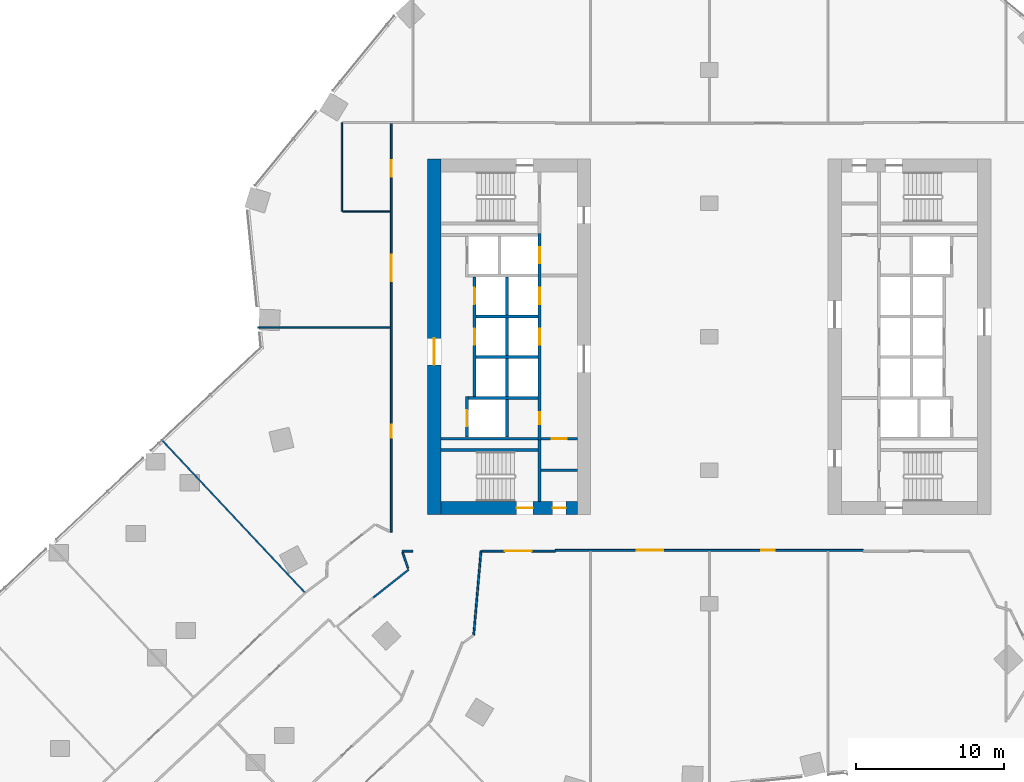
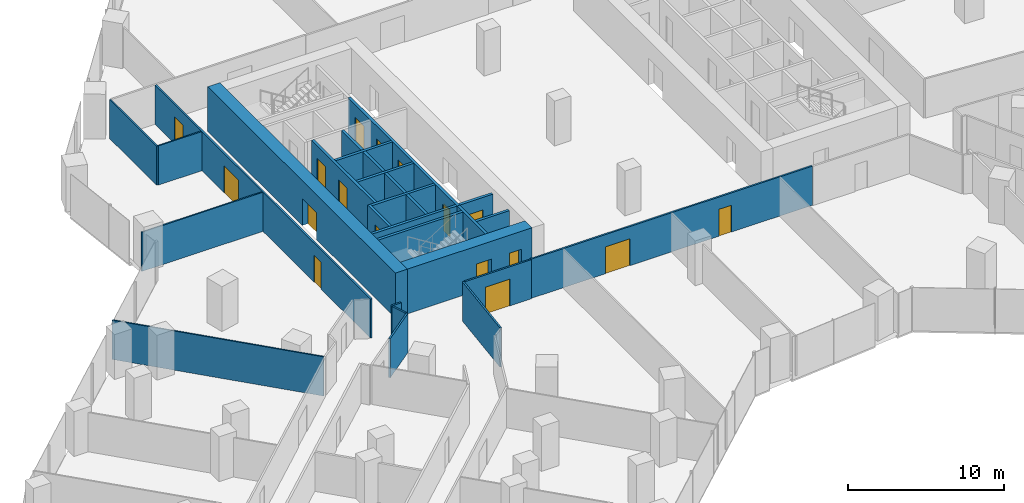
# One storey, part 28 of 34: 28 walls, 17 doors, 17 openings.
"""IFC4 building model written with IfcOpenShell, lengths in metres."""

import ifcopenshell
import ifcopenshell.guid

model = None  # the IFC model being written
_history = None  # IfcOwnerHistory: only IFC2X3 demands one
_inside = {}  # id of a spatial element -> (the spatial element, [elements in it])
_under = {}  # id of a project, library or spatial element -> (it, [spatial elements below it])
_declared = {}  # id of a project -> (the project, [libraries it declares])
_typed = {}  # id of a type object -> (the type object, [elements of that type])
_made_of = {}  # id of a material, layer set ... -> (it, [elements and type objects made of it])


def new_model(schema):
    """Start an empty IFC model of exactly this schema.

    Asked for "IFC4X3", IfcOpenShell would pick the latest addendum, in which some entities
    have other attributes; the version numbers below select the first issue.
    IFC2X3 requires an IfcOwnerHistory on every rooted entity: one is made here for all.
    """
    global model, _history
    if schema == "IFC4X3":
        model = ifcopenshell.file(schema_version=(4, 3, 0, 0))
    else:
        model = ifcopenshell.file(schema=schema)
    _inside.clear()
    _under.clear()
    _declared.clear()
    _typed.clear()
    _made_of.clear()
    _history = None
    if model.schema == "IFC2X3":
        org = make("IfcOrganization", Name="unknown")
        user = make(
            "IfcPersonAndOrganization",
            ThePerson=make("IfcPerson", FamilyName="unknown"),
            TheOrganization=org,
        )
        app = make(
            "IfcApplication",
            ApplicationDeveloper=org,
            Version="unknown",
            ApplicationFullName="unknown",
            ApplicationIdentifier="unknown",
        )
        _history = make(
            "IfcOwnerHistory",
            OwningUser=user,
            OwningApplication=app,
            ChangeAction="ADDED",
            CreationDate=0,
        )
    return model


def make(cls, **values):
    """One entity of the class cls with the attributes given. An attribute that is None is left unset."""
    return model.create_entity(
        cls, **{name: value for name, value in values.items() if value is not None}
    )


def rooted(cls, **values):
    """An entity with a GlobalId (a new one), such as an element, a storey or a relation."""
    return make(cls, GlobalId=ifcopenshell.guid.new(), OwnerHistory=_history, **values)


def si_unit(unit_type, name, prefix=None):
    """IfcSIUnit, for example si_unit("LENGTHUNIT", "METRE", prefix="MILLI")."""
    return make("IfcSIUnit", UnitType=unit_type, Prefix=prefix, Name=name)


def assignment(units):
    """IfcUnitAssignment: the units of a project."""
    return None if units is None else make("IfcUnitAssignment", Units=units)


def point(xyz):
    """IfcCartesianPoint."""
    return None if xyz is None else make("IfcCartesianPoint", Coordinates=xyz)


def direction(xyz):
    """IfcDirection."""
    return None if xyz is None else make("IfcDirection", DirectionRatios=xyz)


def frame(location, z_axis=None, x_axis=None):
    """IfcAxis2Placement3D, a coordinate frame: its origin and axes. An axis left out is left unset."""
    return make(
        "IfcAxis2Placement3D",
        Location=point(location),
        Axis=direction(z_axis),
        RefDirection=direction(x_axis),
    )


def frame_2d(location, x_axis=None):
    """IfcAxis2Placement2D, a coordinate frame in the plane: its origin and x axis."""
    return make(
        "IfcAxis2Placement2D", Location=point(location), RefDirection=direction(x_axis)
    )


def origin():
    """The frame at (0, 0, 0) with its axes left unset."""
    return frame((0.0, 0.0, 0.0))


def place(relative_to, where):
    """IfcLocalPlacement: puts the frame where relative to a parent placement (None: the world)."""
    return make(
        "IfcLocalPlacement", PlacementRelTo=relative_to, RelativePlacement=where
    )


def context(
    kind, dimensions, precision=None, world=None, true_north=None, identifier=None
):
    """IfcGeometricRepresentationContext, for example the 3D "Model" context."""
    return make(
        "IfcGeometricRepresentationContext",
        ContextIdentifier=identifier,
        ContextType=kind,
        CoordinateSpaceDimension=dimensions,
        Precision=precision,
        WorldCoordinateSystem=world,
        TrueNorth=true_north,
    )


def subcontext(parent, identifier, kind, view, scale=None):
    """IfcGeometricRepresentationSubContext, for example "Body" below "Model"."""
    return make(
        "IfcGeometricRepresentationSubContext",
        ContextIdentifier=identifier,
        ContextType=kind,
        ParentContext=parent,
        TargetScale=scale,
        TargetView=view,
    )


def project(units=None, contexts=None):
    """IfcProject with its units and contexts."""
    return rooted(
        "IfcProject",
        Name="project",
        RepresentationContexts=contexts,
        UnitsInContext=assignment(units),
    )


def spatial(cls, under=None, at=None, **own):
    """A site, building, storey or space (cls), placed at a placement, below another one or the project."""
    s = rooted(cls, ObjectPlacement=at, **own)
    if under is not None:
        _under.setdefault(under.id(), (under, []))[1].append(s)
    return s


def profile(cls, at=None, kind="AREA", **sizes):
    """A parametric profile (cls). Its sizes go by their IFC names, for example OverallWidth=200.0."""
    return make(cls, ProfileType=kind, Position=at, **sizes)


def rectangle(**sizes):
    """IfcRectangleProfileDef."""
    return profile("IfcRectangleProfileDef", **sizes)


def extrude(swept, where, along, depth):
    """IfcExtrudedAreaSolid: the profile swept, set in the frame where, extruded along a direction by depth."""
    return make(
        "IfcExtrudedAreaSolid",
        SweptArea=swept,
        Position=where,
        ExtrudedDirection=direction(along),
        Depth=depth,
    )


def shape(context_of_items, identifier, shape_type, items):
    """IfcShapeRepresentation: the items that make up one representation, for example the "Body"."""
    return make(
        "IfcShapeRepresentation",
        ContextOfItems=context_of_items,
        RepresentationIdentifier=identifier,
        RepresentationType=shape_type,
        Items=items,
    )


def material(Name=None, Category=None):
    """IfcMaterial."""
    return make("IfcMaterial", Name=Name, Category=Category)


def layer(
    of_material, thickness, ventilated=None, Name=None, Category=None, Priority=None
):
    """IfcMaterialLayer: one layer of a wall or slab, of a material (None: an air gap)."""
    return make(
        "IfcMaterialLayer",
        Material=of_material,
        LayerThickness=thickness,
        IsVentilated=ventilated,
        Name=Name,
        Category=Category,
        Priority=Priority,
    )


def layer_set(layers, Name=None):
    """IfcMaterialLayerSet."""
    return make("IfcMaterialLayerSet", MaterialLayers=layers, LayerSetName=Name)


def made_of(thing, what):
    """Note that an element or type object is made of a material, layer set ...; save() writes the relation."""
    if what is not None:
        _made_of.setdefault(what.id(), (what, []))[1].append(thing)
    return thing


def type_object(cls, material=None, **own):
    """A type object (cls), such as IfcWallType, which elements share."""
    return made_of(rooted(cls, **own), material)


def element(
    cls,
    number,
    at=None,
    inside=None,
    cuts=None,
    type_object=None,
    material=None,
    context=None,
    identifier="Body",
    shape_type=None,
    held_by="IfcProductDefinitionShape",
    body=None,
    shapes=None,
    **own,
):
    """One element of the class cls, such as IfcWall. Its Tag is "e" and its number.

    at: its placement. inside: the storey or other place that contains it. cuts: it is an
    opening in that element (IfcRelVoidsElement). A single representation is given by context,
    identifier, shape_type and body (its items); several are given by shapes. held_by: the class
    of the entity that holds the representations. save() writes the other relations.
    """
    e = rooted(cls, Tag="e%d" % number, ObjectPlacement=at, **own)
    if body is not None:
        shapes = [shape(context, identifier, shape_type, body)]
    if shapes is not None:
        e.Representation = make(held_by, Representations=shapes)
    if inside is not None:
        _inside.setdefault(inside.id(), (inside, []))[1].append(e)
    if cuts is not None:
        rooted(
            "IfcRelVoidsElement", RelatingBuildingElement=cuts, RelatedOpeningElement=e
        )
    if type_object is not None:
        _typed.setdefault(type_object.id(), (type_object, []))[1].append(e)
    return made_of(e, material)


def fill(opening, filler):
    """IfcRelFillsElement: the door or window that sits in an opening."""
    return rooted(
        "IfcRelFillsElement",
        RelatingOpeningElement=opening,
        RelatedBuildingElement=filler,
    )


def aggregate(whole, parts):
    """IfcRelAggregates: a whole, such as a stair, and the parts it consists of."""
    return rooted("IfcRelAggregates", RelatingObject=whole, RelatedObjects=parts)


def save(model, path):
    """Write the relations noted so far, then the file.

    IfcRelAggregates (storeys below a building ...), IfcRelContainedInSpatialStructure (elements
    in a storey), IfcRelDefinesByType, IfcRelAssociatesMaterial and IfcRelDeclares: one each for
    every whole, place, type object, material and project.
    """
    for whole, parts in _under.values():
        aggregate(whole, parts)
    for where, things in _inside.values():
        rooted(
            "IfcRelContainedInSpatialStructure",
            RelatedElements=things,
            RelatingStructure=where,
        )
    for kind, things in _typed.values():
        rooted("IfcRelDefinesByType", RelatedObjects=things, RelatingType=kind)
    for what, things in _made_of.values():
        rooted("IfcRelAssociatesMaterial", RelatedObjects=things, RelatingMaterial=what)
    for by, libraries in _declared.values():
        rooted("IfcRelDeclares", RelatingContext=by, RelatedDefinitions=libraries)
    model.write(path)


model = new_model("IFC4")

# Units and contexts
model_context = context("Model", 3, precision=1e-05, world=origin(), true_north=direction((0.0, 1.0)))
body_context = subcontext(model_context, "Body", "Model", "MODEL_VIEW")
ifc_project = project(units=[si_unit("LENGTHUNIT", "METRE"), si_unit("AREAUNIT", "SQUARE_METRE"), si_unit("VOLUMEUNIT", "CUBIC_METRE"), si_unit("PLANEANGLEUNIT", "RADIAN"), si_unit("MASSUNIT", "GRAM", prefix="KILO")], contexts=[model_context])

# Site, building, storey
site_placement = place(None, origin())
site = spatial("IfcSite", under=ifc_project, at=site_placement, CompositionType="ELEMENT")
building_placement = place(site_placement, origin())
building = spatial("IfcBuilding", under=site, at=building_placement, Name="Orlundy Tower", CompositionType="ELEMENT")
storey_placement = place(building_placement, frame((0.0, 0.0, 47.800048828125)))
storey = spatial("IfcBuildingStorey", under=building, at=storey_placement, Name="L10", CompositionType="ELEMENT", Elevation=47.800048828125)

# Wall, openings, doors
ifc_material_1 = material(Name="Concrete C80/95", Category="concrete")
ifc_layer_1 = layer(ifc_material_1, 0.89990234375)
ifc_layer_set_1 = layer_set([ifc_layer_1], Name="CORE WALL 900 C80/95")
wall_type_1 = type_object("IfcWallType", Name="CORE WALL 900 C80/95", PredefinedType="SHEAR", material=ifc_layer_set_1)
wall_1_placement = place(storey_placement, frame((-18.10009765625, -11.550048828125, 0.0), z_axis=(0.0, 0.0, 1.0), x_axis=(1.0, 0.0, 0.0)))
wall_1 = element("IfcWall", 1, at=wall_1_placement, inside=storey, type_object=wall_type_1, Name="Core wall W-S L10", PredefinedType="SHEAR", context=body_context, shape_type="SweptSolid", body=[
    extrude(rectangle(XDim=9.2001953125, YDim=0.89990234375, at=frame_2d((4.60009765625, 0.0))), origin(), (0.0, 0.0, 1.0), 3.5),
])
opening_1_placement = place(wall_1_placement, frame((5.10009765625, 0.0, 0.0)))
opening_1 = element("IfcOpeningElement", 2, at=opening_1_placement, cuts=wall_1, Name="Opening 09013", PredefinedType="OPENING", context=body_context, shape_type="SweptSolid", body=[
    extrude(rectangle(XDim=1.10009765625, YDim=2.10009765625, at=frame_2d((0.550048828125, 1.050048828125))), frame((0.0, 0.4599609375, 0.0), z_axis=(0.0, -1.0, 0.0), x_axis=(1.0, 0.0, 0.0)), (0.0, 0.0, 1.0), 0.919921875),
])
opening_2_placement = place(wall_1_placement, frame((7.530029296875, 0.0, 0.0)))
opening_2 = element("IfcOpeningElement", 3, at=opening_2_placement, cuts=wall_1, Name="Opening 09015", PredefinedType="OPENING", context=body_context, shape_type="SweptSolid", body=[
    extrude(rectangle(XDim=0.89990234375, YDim=2.10009765625, at=frame_2d((0.449951171875, 1.050048828125))), frame((0.0, 0.4599609375, 0.0), z_axis=(0.0, -1.0, 0.0), x_axis=(1.0, 0.0, 0.0)), (0.0, 0.0, 1.0), 0.919921875),
])
ifc_material_2 = material(Name="Timber door set", Category="wood")
door_type_1 = type_object("IfcDoorType", Name="Room Door 900x2100", OperationType="SINGLE_SWING_LEFT", PredefinedType="DOOR", material=ifc_material_2)
door_1_placement = place(opening_2_placement, origin())
door_1 = element("IfcDoor", 4, at=door_1_placement, inside=storey, type_object=door_type_1, Name="Store door 09015", OperationType="SINGLE_SWING_RIGHT", OverallHeight=2.10009765625, OverallWidth=0.89990234375, PredefinedType="DOOR", context=body_context, shape_type="SweptSolid", body=[
    extrude(rectangle(XDim=0.89990234375, YDim=2.10009765625, at=frame_2d((0.449951171875, 1.050048828125))), frame((0.0, 0.02490234375, 0.0), z_axis=(0.0, -1.0, 0.0), x_axis=(1.0, 0.0, 0.0)), (0.0, 0.0, 1.0), 0.050048828125),
])
fill(opening_2, door_1)
ifc_material_3 = material(Name="Steel door set", Category="steel")
door_type_2 = type_object("IfcDoorType", Name="Stair Door 1100x2100", OperationType="SINGLE_SWING_LEFT", PredefinedType="DOOR", material=ifc_material_3)
door_2_placement = place(opening_1_placement, origin())
door_2 = element("IfcDoor", 5, at=door_2_placement, inside=storey, type_object=door_type_2, Name="Stair door 09013", OperationType="SINGLE_SWING_RIGHT", OverallHeight=2.10009765625, OverallWidth=1.10009765625, PredefinedType="DOOR", context=body_context, shape_type="SweptSolid", body=[
    extrude(rectangle(XDim=1.10009765625, YDim=2.10009765625, at=frame_2d((0.550048828125, 1.050048828125))), frame((0.0, 0.02490234375, 0.0), z_axis=(0.0, -1.0, 0.0), x_axis=(1.0, 0.0, 0.0)), (0.0, 0.0, 1.0), 0.050048828125),
])
fill(opening_1, door_2)

# Wall, opening, door
wall_2_placement = place(storey_placement, frame((-18.550048828125, -12.0, 0.0), z_axis=(0.0, 0.0, 1.0), x_axis=(0.0, 1.0, 0.0)))
wall_2 = element("IfcWall", 6, at=wall_2_placement, inside=storey, type_object=wall_type_1, Name="Core wall W-W L10", PredefinedType="SHEAR", context=body_context, shape_type="SweptSolid", body=[
    extrude(rectangle(XDim=24.0, YDim=0.89990234375, at=frame_2d((12.0, 0.0))), origin(), (0.0, 0.0, 1.0), 3.5),
])
opening_3_placement = place(wall_2_placement, frame((10.10009765625, 0.0, 0.0)))
opening_3 = element("IfcOpeningElement", 7, at=opening_3_placement, cuts=wall_2, Name="Opening 09010", PredefinedType="OPENING", context=body_context, shape_type="SweptSolid", body=[
    extrude(rectangle(XDim=1.800048828125, YDim=2.10009765625, at=frame_2d((0.89990234375, 1.050048828125))), frame((0.0, 0.4599609375, 0.0), z_axis=(0.0, -1.0, 0.0), x_axis=(1.0, 0.0, 0.0)), (0.0, 0.0, 1.0), 0.919921875),
])
ifc_material_4 = material(Name="Timber door set", Category="wood")
door_type_3 = type_object("IfcDoorType", Name="Lobby Door 1800x2100", OperationType="DOUBLE_DOOR_DOUBLE_SWING", PredefinedType="DOOR", material=ifc_material_4)
door_3_placement = place(opening_3_placement, origin())
door_3 = element("IfcDoor", 8, at=door_3_placement, inside=storey, type_object=door_type_3, Name="Lift lobby door 09010", OperationType="SINGLE_SWING_LEFT", OverallHeight=2.10009765625, OverallWidth=1.800048828125, PredefinedType="DOOR", context=body_context, shape_type="SweptSolid", body=[
    extrude(rectangle(XDim=1.800048828125, YDim=2.10009765625, at=frame_2d((0.89990234375, 1.050048828125))), frame((0.0, 0.02490234375, 0.0), z_axis=(0.0, -1.0, 0.0), x_axis=(1.0, 0.0, 0.0)), (0.0, 0.0, 1.0), 0.050048828125),
])
fill(opening_3, door_3)

# Walls
ifc_material_5 = material(Name="Gypsum board partition")
ifc_layer_2 = layer(ifc_material_5, 0.10009765625)
ifc_layer_set_2 = layer_set([ifc_layer_2], Name="Floor partition 100")
wall_type_2 = type_object("IfcWallType", Name="Floor partition 100", PredefinedType="PARTITIONING", material=ifc_layer_set_2)
wall_3_placement = place(storey_placement, frame((-36.969970703125, -6.912109375, 0.0), z_axis=(0.0, 0.0, 1.0), x_axis=(0.684148478852, -0.729342758163, 0.0)))
element("IfcWall", 9, at=wall_3_placement, inside=storey, type_object=wall_type_2, Name="wall-int-L10-016", PredefinedType="PARTITIONING", context=body_context, shape_type="SweptSolid", body=[
    extrude(rectangle(XDim=14.13720703125, YDim=0.10009765625, at=frame_2d((7.068603515625, 0.0))), origin(), (0.0, 0.0, 1.0), 3.06005859375),
])
wall_4_placement = place(storey_placement, frame((-30.4619140625, 0.635986328125, 0.0), z_axis=(0.0, 0.0, 1.0), x_axis=(1.0, 0.0, 0.0)))
element("IfcWall", 10, at=wall_4_placement, inside=storey, type_object=wall_type_2, Name="wall-int-L10-038", PredefinedType="PARTITIONING", context=body_context, shape_type="SweptSolid", body=[
    extrude(rectangle(XDim=8.949951171875, YDim=0.10009765625, at=frame_2d((4.47509765625, 0.0))), origin(), (0.0, 0.0, 1.0), 3.06005859375),
])
wall_5_placement = place(storey_placement, frame((-24.73193359375, 8.448974609375, 0.0), z_axis=(0.0, 0.0, 1.0), x_axis=(1.0, 0.0, 0.0)))
element("IfcWall", 11, at=wall_5_placement, inside=storey, type_object=wall_type_2, Name="wall-int-L10-040", PredefinedType="PARTITIONING", context=body_context, shape_type="SweptSolid", body=[
    extrude(rectangle(XDim=3.219970703125, YDim=0.10009765625, at=frame_2d((1.60986328125, 0.0))), origin(), (0.0, 0.0, 1.0), 3.06005859375),
])
wall_6_placement = place(storey_placement, frame((-24.781982421875, 8.448974609375, 0.0), z_axis=(0.0, 0.0, 1.0), x_axis=(0.0, 1.0, 0.0)))
element("IfcWall", 12, at=wall_6_placement, inside=storey, type_object=wall_type_2, Name="wall-int-L10-086", PredefinedType="PARTITIONING", context=body_context, shape_type="SweptSolid", body=[
    extrude(rectangle(XDim=6.0, YDim=0.10009765625, at=frame_2d((3.0, 0.0))), origin(), (0.0, 0.0, 1.0), 3.06005859375),
])
ifc_material_6 = material(Name="Gypsum board partition, double layer")
ifc_layer_3 = layer(ifc_material_6, 0.125)
ifc_layer_set_3 = layer_set([ifc_layer_3], Name="Floor partition 125")
wall_type_3 = type_object("IfcWallType", Name="Floor partition 125", PredefinedType="PARTITIONING", material=ifc_layer_set_3)
wall_7_placement = place(storey_placement, frame((-20.68408203125, -14.54296875, 0.0), z_axis=(0.0, 0.0, 1.0), x_axis=(0.32765097617, -0.944798834575, 0.0)))
element("IfcWall", 13, at=wall_7_placement, inside=storey, type_object=wall_type_3, Name="wall-int-L10-001", PredefinedType="PARTITIONING", context=body_context, shape_type="SweptSolid", body=[
    extrude(rectangle(XDim=1.132568359375, YDim=0.125, at=frame_2d((0.56640625, 0.0))), origin(), (0.0, 0.0, 1.0), 3.06005859375),
])
wall_8_placement = place(storey_placement, frame((-20.715087890625, -14.450927734375, 0.0), z_axis=(0.0, 0.0, 1.0), x_axis=(1.0, 0.0, 0.0)))
element("IfcWall", 14, at=wall_8_placement, inside=storey, type_object=wall_type_3, Name="wall-int-L10-033", PredefinedType="PARTITIONING", context=body_context, shape_type="SweptSolid", body=[
    extrude(rectangle(XDim=0.715087890625, YDim=0.125, at=frame_2d((0.357421875, 0.0))), origin(), (0.0, 0.0, 1.0), 3.06005859375),
])

# Wall, opening, door
wall_9_placement = place(storey_placement, frame((-10.39111328125, -14.450927734375, 0.0), z_axis=(0.0, 0.0, 1.0), x_axis=(-1.0, 0.0, 0.0)))
wall_9 = element("IfcWall", 15, at=wall_9_placement, inside=storey, type_object=wall_type_3, Name="wall-int-L10-034", PredefinedType="PARTITIONING", context=body_context, shape_type="SweptSolid", body=[
    extrude(rectangle(XDim=4.94677734375, YDim=0.125, at=frame_2d((2.473388671875, 0.0))), origin(), (0.0, 0.0, 1.0), 3.06005859375),
])
opening_4_placement = place(wall_9_placement, frame((1.60009765625, 0.0, 0.0)))
opening_4 = element("IfcOpeningElement", 16, at=opening_4_placement, cuts=wall_9, Name="Opening 09124", PredefinedType="OPENING", context=body_context, shape_type="SweptSolid", body=[
    extrude(rectangle(XDim=1.800048828125, YDim=2.10009765625, at=frame_2d((0.89990234375, 1.050048828125))), frame((0.0, 0.072509765625, 0.0), z_axis=(0.0, -1.0, 0.0), x_axis=(1.0, 0.0, 0.0)), (0.0, 0.0, 1.0), 0.14501953125),
])
ifc_material_7 = material(Name="Timber door leaf", Category="wood")
door_type_4 = type_object("IfcDoorType", Name="Floor door double 1800 FD30S", OperationType="NOTDEFINED", PredefinedType="DOOR", material=ifc_material_7)
door_4_placement = place(opening_4_placement, origin())
door_4 = element("IfcDoor", 17, at=door_4_placement, inside=storey, type_object=door_type_4, Name="Door 09124", OperationType="DOUBLE_DOOR_SINGLE_SWING", OverallHeight=2.10009765625, OverallWidth=1.800048828125, PredefinedType="DOOR", context=body_context, shape_type="SweptSolid", body=[
    extrude(rectangle(XDim=1.800048828125, YDim=2.10009765625, at=frame_2d((0.89990234375, 1.050048828125))), frame((0.0, 0.02490234375, 0.0), z_axis=(0.0, -1.0, 0.0), x_axis=(1.0, 0.0, 0.0)), (0.0, 0.0, 1.0), 0.050048828125),
])
fill(opening_4, door_4)

# Wall, openings, doors
wall_10_placement = place(storey_placement, frame((10.39111328125, -14.40087890625, 0.0), z_axis=(0.0, 0.0, 1.0), x_axis=(-1.0, 0.0, 0.0)))
wall_10 = element("IfcWall", 18, at=wall_10_placement, inside=storey, type_object=wall_type_3, Name="wall-int-L10-037", PredefinedType="PARTITIONING", context=body_context, shape_type="SweptSolid", body=[
    extrude(rectangle(XDim=20.781005859375, YDim=0.125, at=frame_2d((10.390625, 0.0))), origin(), (0.0, 0.0, 1.0), 3.06005859375),
])
opening_5_placement = place(wall_10_placement, frame((13.490966796875, 0.0, 0.0)))
opening_5 = element("IfcOpeningElement", 19, at=opening_5_placement, cuts=wall_10, Name="Opening 09125", PredefinedType="OPENING", context=body_context, shape_type="SweptSolid", body=[
    extrude(rectangle(XDim=1.800048828125, YDim=2.10009765625, at=frame_2d((0.89990234375, 1.050048828125))), frame((0.0, 0.072509765625, 0.0), z_axis=(0.0, -1.0, 0.0), x_axis=(1.0, 0.0, 0.0)), (0.0, 0.0, 1.0), 0.14501953125),
])
opening_6_placement = place(wall_10_placement, frame((5.990966796875, 0.0, 0.0)))
opening_6 = element("IfcOpeningElement", 20, at=opening_6_placement, cuts=wall_10, Name="Opening 09126", PredefinedType="OPENING", context=body_context, shape_type="SweptSolid", body=[
    extrude(rectangle(XDim=0.89990234375, YDim=2.10009765625, at=frame_2d((0.449951171875, 1.050048828125))), frame((0.0, 0.072509765625, 0.0), z_axis=(0.0, -1.0, 0.0), x_axis=(1.0, 0.0, 0.0)), (0.0, 0.0, 1.0), 0.14501953125),
])
door_5_placement = place(opening_5_placement, origin())
door_5 = element("IfcDoor", 21, at=door_5_placement, inside=storey, type_object=door_type_4, Name="Door 09125", OperationType="DOUBLE_DOOR_SINGLE_SWING", OverallHeight=2.10009765625, OverallWidth=1.800048828125, PredefinedType="DOOR", context=body_context, shape_type="SweptSolid", body=[
    extrude(rectangle(XDim=1.800048828125, YDim=2.10009765625, at=frame_2d((0.89990234375, 1.050048828125))), frame((0.0, 0.02490234375, 0.0), z_axis=(0.0, -1.0, 0.0), x_axis=(1.0, 0.0, 0.0)), (0.0, 0.0, 1.0), 0.050048828125),
])
fill(opening_5, door_5)
ifc_material_8 = material(Name="Timber door leaf", Category="wood")
door_type_5 = type_object("IfcDoorType", Name="Floor door single 900 FD30S", OperationType="NOTDEFINED", PredefinedType="DOOR", material=ifc_material_8)
door_6_placement = place(opening_6_placement, origin())
door_6 = element("IfcDoor", 22, at=door_6_placement, inside=storey, type_object=door_type_5, Name="Door 09126", OperationType="SINGLE_SWING_LEFT", OverallHeight=2.10009765625, OverallWidth=0.89990234375, PredefinedType="DOOR", context=body_context, shape_type="SweptSolid", body=[
    extrude(rectangle(XDim=0.89990234375, YDim=2.10009765625, at=frame_2d((0.449951171875, 1.050048828125))), frame((0.0, 0.02490234375, 0.0), z_axis=(0.0, -1.0, 0.0), x_axis=(1.0, 0.0, 0.0)), (0.0, 0.0, 1.0), 0.050048828125),
])
fill(opening_6, door_6)

# Walls
wall_11_placement = place(storey_placement, frame((-22.653076171875, -17.580078125, 0.0), z_axis=(0.0, 0.0, 1.0), x_axis=(0.784758802797, 0.619801275759, 0.0)))
element("IfcWall", 23, at=wall_11_placement, inside=storey, type_object=wall_type_3, Name="wall-int-L10-047", PredefinedType="PARTITIONING", context=body_context, shape_type="SweptSolid", body=[
    extrude(rectangle(XDim=3.025146484375, YDim=0.125, at=frame_2d((1.5126953125, 0.0))), origin(), (0.0, 0.0, 1.0), 3.06005859375),
])
wall_12_placement = place(storey_placement, frame((-15.89111328125, -20.113037109375, 0.0), z_axis=(0.0, 0.0, 1.0), x_axis=(0.086555508175, 0.996247029609, 0.0)))
element("IfcWall", 24, at=wall_12_placement, inside=storey, type_object=wall_type_3, Name="wall-int-L10-073", PredefinedType="PARTITIONING", context=body_context, shape_type="SweptSolid", body=[
    extrude(rectangle(XDim=5.686279296875, YDim=0.125, at=frame_2d((2.84326171875, 0.0))), origin(), (0.0, 0.0, 1.0), 3.06005859375),
])

# Wall, openings, doors
wall_13_placement = place(storey_placement, frame((-21.449951171875, -13.175048828125, 0.0), z_axis=(0.0, 0.0, 1.0), x_axis=(0.0, 1.0, 0.0)))
wall_13 = element("IfcWall", 25, at=wall_13_placement, inside=storey, type_object=wall_type_3, Name="wall-int-L10-085", PredefinedType="PARTITIONING", context=body_context, shape_type="SweptSolid", body=[
    extrude(rectangle(XDim=27.56103515625, YDim=0.125, at=frame_2d((13.780517578125, 0.0))), origin(), (0.0, 0.0, 1.0), 3.06005859375),
])
opening_7_placement = place(wall_13_placement, frame((6.35009765625, 0.0, 0.0)))
opening_7 = element("IfcOpeningElement", 26, at=opening_7_placement, cuts=wall_13, Name="Opening 09122", PredefinedType="OPENING", context=body_context, shape_type="SweptSolid", body=[
    extrude(rectangle(XDim=0.89990234375, YDim=2.10009765625, at=frame_2d((0.449951171875, 1.050048828125))), frame((0.0, 0.072509765625, 0.0), z_axis=(0.0, -1.0, 0.0), x_axis=(1.0, 0.0, 0.0)), (0.0, 0.0, 1.0), 0.14501953125),
])
opening_8_placement = place(wall_13_placement, frame((16.910888671875, 0.0, 0.0)))
opening_8 = element("IfcOpeningElement", 27, at=opening_8_placement, cuts=wall_13, Name="Opening 09135", PredefinedType="OPENING", context=body_context, shape_type="SweptSolid", body=[
    extrude(rectangle(XDim=1.800048828125, YDim=2.10009765625, at=frame_2d((0.89990234375, 1.050048828125))), frame((0.0, 0.072509765625, 0.0), z_axis=(0.0, -1.0, 0.0), x_axis=(1.0, 0.0, 0.0)), (0.0, 0.0, 1.0), 0.14501953125),
])
opening_9_placement = place(wall_13_placement, frame((23.97412109375, 0.0, 0.0)))
opening_9 = element("IfcOpeningElement", 28, at=opening_9_placement, cuts=wall_13, Name="Opening 09136", PredefinedType="OPENING", context=body_context, shape_type="SweptSolid", body=[
    extrude(rectangle(XDim=1.10009765625, YDim=2.10009765625, at=frame_2d((0.550048828125, 1.050048828125))), frame((0.0, 0.072509765625, 0.0), z_axis=(0.0, -1.0, 0.0), x_axis=(1.0, 0.0, 0.0)), (0.0, 0.0, 1.0), 0.14501953125),
])
door_7_placement = place(opening_8_placement, origin())
door_7 = element("IfcDoor", 29, at=door_7_placement, inside=storey, type_object=door_type_4, Name="Door 09135", OperationType="DOUBLE_DOOR_SINGLE_SWING", OverallHeight=2.10009765625, OverallWidth=1.800048828125, PredefinedType="DOOR", context=body_context, shape_type="SweptSolid", body=[
    extrude(rectangle(XDim=1.800048828125, YDim=2.10009765625, at=frame_2d((0.89990234375, 1.050048828125))), frame((0.0, 0.02490234375, 0.0), z_axis=(0.0, -1.0, 0.0), x_axis=(1.0, 0.0, 0.0)), (0.0, 0.0, 1.0), 0.050048828125),
])
fill(opening_8, door_7)
door_8_placement = place(opening_7_placement, origin())
door_8 = element("IfcDoor", 30, at=door_8_placement, inside=storey, type_object=door_type_5, Name="Door 09122", OperationType="SINGLE_SWING_LEFT", OverallHeight=2.10009765625, OverallWidth=0.89990234375, PredefinedType="DOOR", context=body_context, shape_type="SweptSolid", body=[
    extrude(rectangle(XDim=0.89990234375, YDim=2.10009765625, at=frame_2d((0.449951171875, 1.050048828125))), frame((0.0, 0.02490234375, 0.0), z_axis=(0.0, -1.0, 0.0), x_axis=(1.0, 0.0, 0.0)), (0.0, 0.0, 1.0), 0.050048828125),
])
fill(opening_7, door_8)
ifc_material_9 = material(Name="Timber door leaf", Category="wood")
door_type_6 = type_object("IfcDoorType", Name="Floor door xwide 1100 FD30S", OperationType="NOTDEFINED", PredefinedType="DOOR", material=ifc_material_9)
door_9_placement = place(opening_9_placement, origin())
door_9 = element("IfcDoor", 31, at=door_9_placement, inside=storey, type_object=door_type_6, Name="Door 09136", OperationType="SINGLE_SWING_RIGHT", OverallHeight=2.10009765625, OverallWidth=1.10009765625, PredefinedType="DOOR", context=body_context, shape_type="SweptSolid", body=[
    extrude(rectangle(XDim=1.10009765625, YDim=2.10009765625, at=frame_2d((0.550048828125, 1.050048828125))), frame((0.0, 0.02490234375, 0.0), z_axis=(0.0, -1.0, 0.0), x_axis=(1.0, 0.0, 0.0)), (0.0, 0.0, 1.0), 0.050048828125),
])
fill(opening_9, door_9)

# Walls
ifc_material_10 = material(Name="Concrete C40/50", Category="concrete")
ifc_layer_4 = layer(ifc_material_10, 0.199951171875)
ifc_layer_set_4 = layer_set([ifc_layer_4], Name="Load-bearing Shaft Wall 200")
wall_type_4 = type_object("IfcWallType", Name="Load-bearing Shaft Wall 200", PredefinedType="SOLIDWALL", material=ifc_layer_set_4)
wall_14_placement = place(storey_placement, frame((-11.43994140625, -11.10009765625, 0.0), z_axis=(0.0, 0.0, 1.0), x_axis=(0.0, 1.0, 0.0)))
element("IfcWall", 32, at=wall_14_placement, inside=storey, type_object=wall_type_4, Name="Shaft wall W09-stair-end-s", PredefinedType="SOLIDWALL", context=body_context, shape_type="SweptSolid", body=[
    extrude(rectangle(XDim=4.125, YDim=0.199951171875, at=frame_2d((2.0625, 0.0))), origin(), (0.0, 0.0, 1.0), 3.079833984375),
])
wall_15_placement = place(storey_placement, frame((-11.5400390625, -7.64990234375, 0.0), z_axis=(0.0, 0.0, 1.0), x_axis=(-1.0, 0.0, 0.0)))
element("IfcWall", 33, at=wall_15_placement, inside=storey, type_object=wall_type_4, Name="Shaft wall W09-stair-side-s", PredefinedType="SOLIDWALL", context=body_context, shape_type="SweptSolid", body=[
    extrude(rectangle(XDim=6.56005859375, YDim=0.199951171875, at=frame_2d((3.280029296875, 0.0))), origin(), (0.0, 0.0, 1.0), 3.079833984375),
])

# Wall, opening, door
ifc_material_11 = material(Name="Gypsum board partition on steel studs", Category="steel")
ifc_layer_5 = layer(ifc_material_11, 0.199951171875)
ifc_layer_set_5 = layer_set([ifc_layer_5], Name="Partition 200")
wall_type_5 = type_object("IfcWallType", Name="Partition 200", PredefinedType="PARTITIONING", material=ifc_layer_set_5)
wall_16_placement = place(storey_placement, frame((-8.89990234375, -6.875, 0.0), z_axis=(0.0, 0.0, 1.0), x_axis=(-1.0, 0.0, 0.0)))
wall_16 = element("IfcWall", 34, at=wall_16_placement, inside=storey, type_object=wall_type_5, Name="Partition wall W09-end-s", PredefinedType="PARTITIONING", context=body_context, shape_type="SweptSolid", body=[
    extrude(rectangle(XDim=2.440185546875, YDim=0.199951171875, at=frame_2d((1.22021484375, 0.0))), origin(), (0.0, 0.0, 1.0), 3.079833984375),
])
opening_10_placement = place(wall_16_placement, frame((0.719970703125, 0.0, 0.0)))
opening_10 = element("IfcOpeningElement", 35, at=opening_10_placement, cuts=wall_16, Name="Opening 09016", PredefinedType="OPENING", context=body_context, shape_type="SweptSolid", body=[
    extrude(rectangle(XDim=1.0, YDim=2.10009765625, at=frame_2d((0.5, 1.050048828125))), frame((0.0, 0.110107421875, 0.0), z_axis=(0.0, -1.0, 0.0), x_axis=(1.0, 0.0, 0.0)), (0.0, 0.0, 1.0), 0.22021484375),
])
ifc_material_12 = material(Name="Timber door set", Category="wood")
door_type_7 = type_object("IfcDoorType", Name="Accessible Door 1000x2100", OperationType="SINGLE_SWING_LEFT", PredefinedType="DOOR", material=ifc_material_12)
door_10_placement = place(opening_10_placement, origin())
door_10 = element("IfcDoor", 36, at=door_10_placement, inside=storey, type_object=door_type_7, Name="Accessible WC door 09016", OperationType="SINGLE_SWING_RIGHT", OverallHeight=2.10009765625, OverallWidth=1.0, PredefinedType="DOOR", context=body_context, shape_type="SweptSolid", body=[
    extrude(rectangle(XDim=1.0, YDim=2.10009765625, at=frame_2d((0.5, 1.050048828125))), frame((0.0, 0.02490234375, 0.0), z_axis=(0.0, -1.0, 0.0), x_axis=(1.0, 0.0, 0.0)), (0.0, 0.0, 1.0), 0.050048828125),
])
fill(opening_10, door_10)

# Walls
wall_17_placement = place(storey_placement, frame((-8.89990234375, -9.0, 0.0), z_axis=(0.0, 0.0, 1.0), x_axis=(-1.0, 0.0, 0.0)))
element("IfcWall", 37, at=wall_17_placement, inside=storey, type_object=wall_type_5, Name="Partition wall W09-room-s0", PredefinedType="PARTITIONING", context=body_context, shape_type="SweptSolid", body=[
    extrude(rectangle(XDim=2.440185546875, YDim=0.199951171875, at=frame_2d((1.22021484375, 0.0))), origin(), (0.0, 0.0, 1.0), 3.079833984375),
])
ifc_material_13 = material(Name="Fire-rated blockwork shaft wall", Category="masonry")
ifc_layer_6 = layer(ifc_material_13, 0.199951171875)
ifc_layer_set_6 = layer_set([ifc_layer_6], Name="Shaft Wall 200")
wall_type_6 = type_object("IfcWallType", Name="Shaft Wall 200", PredefinedType="SOLIDWALL", material=ifc_layer_set_6)
wall_18_placement = place(storey_placement, frame((-11.5400390625, -6.875, 0.0), z_axis=(0.0, 0.0, 1.0), x_axis=(-1.0, 0.0, 0.0)))
element("IfcWall", 38, at=wall_18_placement, inside=storey, type_object=wall_type_6, Name="Shaft wall W09-zone-s", PredefinedType="SOLIDWALL", context=body_context, shape_type="SweptSolid", body=[
    extrude(rectangle(XDim=6.56005859375, YDim=0.199951171875, at=frame_2d((3.280029296875, 0.0))), origin(), (0.0, 0.0, 1.0), 3.079833984375),
])
wall_19_placement = place(storey_placement, frame((-11.5400390625, -4.125, 0.0), z_axis=(0.0, 0.0, 1.0), x_axis=(-1.0, 0.0, 0.0)))
element("IfcWall", 39, at=wall_19_placement, inside=storey, type_object=wall_type_6, Name="Shaft wall W09-cross-4.125", PredefinedType="SOLIDWALL", context=body_context, shape_type="SweptSolid", body=[
    extrude(rectangle(XDim=4.699951171875, YDim=0.199951171875, at=frame_2d((2.35009765625, 0.0))), origin(), (0.0, 0.0, 1.0), 3.079833984375),
])
for number, where, z_axis, x_axis, name in (
    (40, (-11.5400390625, -1.375, 0.0), (0.0, 0.0, 1.0), (-1.0, 0.0, 0.0), "Shaft wall W09-cross-1.375"),
    (41, (-11.5400390625, 1.375, 0.0), (0.0, 0.0, 1.0), (-1.0, 0.0, 0.0), "Shaft wall W09-cross+1.375"),
):
    element("IfcWall", number, at=place(storey_placement, frame(where, z_axis=z_axis, x_axis=x_axis)), inside=storey, type_object=wall_type_6, Name=name, PredefinedType="SOLIDWALL", context=body_context, shape_type="SweptSolid", body=[
        extrude(rectangle(XDim=4.199951171875, YDim=0.199951171875, at=frame_2d((2.10009765625, 0.0))), origin(), (0.0, 0.0, 1.0), 3.079833984375),
    ])

# Wall, openings, doors
wall_20_placement = place(storey_placement, frame((-11.43994140625, -6.97509765625, 0.0), z_axis=(0.0, 0.0, 1.0), x_axis=(0.0, 1.0, 0.0)))
wall_20 = element("IfcWall", 42, at=wall_20_placement, inside=storey, type_object=wall_type_6, Name="Shaft wall W09-front-h", PredefinedType="SOLIDWALL", context=body_context, shape_type="SweptSolid", body=[
    extrude(rectangle(XDim=13.9501953125, YDim=0.199951171875, at=frame_2d((6.97509765625, 0.0))), origin(), (0.0, 0.0, 1.0), 3.079833984375),
])
opening_11_placement = place(wall_20_placement, frame((6.425048828125, 0.0, 0.0)))
opening_11 = element("IfcOpeningElement", 43, at=opening_11_placement, cuts=wall_20, Name="Opening 09002", PredefinedType="OPENING", context=body_context, shape_type="SweptSolid", body=[
    extrude(rectangle(XDim=1.10009765625, YDim=2.10009765625, at=frame_2d((0.550048828125, 1.050048828125))), frame((0.0, 0.110107421875, 0.0), z_axis=(0.0, -1.0, 0.0), x_axis=(1.0, 0.0, 0.0)), (0.0, 0.0, 1.0), 0.22021484375),
])
opening_12_placement = place(wall_20_placement, frame((9.175048828125, 0.0, 0.0)))
opening_12 = element("IfcOpeningElement", 44, at=opening_12_placement, cuts=wall_20, Name="Opening 09004", PredefinedType="OPENING", context=body_context, shape_type="SweptSolid", body=[
    extrude(rectangle(XDim=1.10009765625, YDim=2.10009765625, at=frame_2d((0.550048828125, 1.050048828125))), frame((0.0, 0.110107421875, 0.0), z_axis=(0.0, -1.0, 0.0), x_axis=(1.0, 0.0, 0.0)), (0.0, 0.0, 1.0), 0.22021484375),
])
opening_13_placement = place(wall_20_placement, frame((11.925048828125, 0.0, 0.0)))
opening_13 = element("IfcOpeningElement", 45, at=opening_13_placement, cuts=wall_20, Name="Opening 09006", PredefinedType="OPENING", context=body_context, shape_type="SweptSolid", body=[
    extrude(rectangle(XDim=1.10009765625, YDim=2.10009765625, at=frame_2d((0.550048828125, 1.050048828125))), frame((0.0, 0.110107421875, 0.0), z_axis=(0.0, -1.0, 0.0), x_axis=(1.0, 0.0, 0.0)), (0.0, 0.0, 1.0), 0.22021484375),
])
opening_14_placement = place(wall_20_placement, frame((1.074951171875, 0.0, 0.0)))
opening_14 = element("IfcOpeningElement", 46, at=opening_14_placement, cuts=wall_20, Name="Opening 09008", PredefinedType="OPENING", context=body_context, shape_type="SweptSolid", body=[
    extrude(rectangle(XDim=0.800048828125, YDim=2.10009765625, at=frame_2d((0.39990234375, 1.050048828125))), frame((0.0, 0.110107421875, 0.0), z_axis=(0.0, -1.0, 0.0), x_axis=(1.0, 0.0, 0.0)), (0.0, 0.0, 1.0), 0.22021484375),
])
ifc_material_14 = material(Name="Steel door set", Category="steel")
door_type_8 = type_object("IfcDoorType", Name="Landing Door 1100x2100", OperationType="DOUBLE_DOOR_SLIDING", PredefinedType="DOOR", material=ifc_material_14)
door_11_placement = place(opening_11_placement, origin())
door_11 = element("IfcDoor", 47, at=door_11_placement, inside=storey, type_object=door_type_8, Name="Lift landing door LP-05 09002", OperationType="DOUBLE_DOOR_SLIDING", OverallHeight=2.10009765625, OverallWidth=1.10009765625, PredefinedType="DOOR", context=body_context, shape_type="SweptSolid", body=[
    extrude(rectangle(XDim=1.10009765625, YDim=2.10009765625, at=frame_2d((0.550048828125, 1.050048828125))), frame((0.0, 0.02490234375, 0.0), z_axis=(0.0, -1.0, 0.0), x_axis=(1.0, 0.0, 0.0)), (0.0, 0.0, 1.0), 0.050048828125),
])
fill(opening_11, door_11)
door_12_placement = place(opening_12_placement, origin())
door_12 = element("IfcDoor", 48, at=door_12_placement, inside=storey, type_object=door_type_8, Name="Lift landing door LP-02 09004", OperationType="DOUBLE_DOOR_SLIDING", OverallHeight=2.10009765625, OverallWidth=1.10009765625, PredefinedType="DOOR", context=body_context, shape_type="SweptSolid", body=[
    extrude(rectangle(XDim=1.10009765625, YDim=2.10009765625, at=frame_2d((0.550048828125, 1.050048828125))), frame((0.0, 0.02490234375, 0.0), z_axis=(0.0, -1.0, 0.0), x_axis=(1.0, 0.0, 0.0)), (0.0, 0.0, 1.0), 0.050048828125),
])
fill(opening_12, door_12)
door_13_placement = place(opening_13_placement, origin())
door_13 = element("IfcDoor", 49, at=door_13_placement, inside=storey, type_object=door_type_8, Name="Lift landing door FL1 09006", OperationType="DOUBLE_DOOR_SLIDING", OverallHeight=2.10009765625, OverallWidth=1.10009765625, PredefinedType="DOOR", context=body_context, shape_type="SweptSolid", body=[
    extrude(rectangle(XDim=1.10009765625, YDim=2.10009765625, at=frame_2d((0.550048828125, 1.050048828125))), frame((0.0, 0.02490234375, 0.0), z_axis=(0.0, -1.0, 0.0), x_axis=(1.0, 0.0, 0.0)), (0.0, 0.0, 1.0), 0.050048828125),
])
fill(opening_13, door_13)
ifc_material_15 = material(Name="Timber door set", Category="wood")
door_type_9 = type_object("IfcDoorType", Name="Riser Door 800x2100", OperationType="SINGLE_SWING_LEFT", PredefinedType="DOOR", material=ifc_material_15)
door_14_placement = place(opening_14_placement, origin())
door_14 = element("IfcDoor", 50, at=door_14_placement, inside=storey, type_object=door_type_9, Name="Electrical Riser Room door 09008", OperationType="SINGLE_SWING_LEFT", OverallHeight=2.10009765625, OverallWidth=0.800048828125, PredefinedType="DOOR", context=body_context, shape_type="SweptSolid", body=[
    extrude(rectangle(XDim=0.800048828125, YDim=2.10009765625, at=frame_2d((0.39990234375, 1.050048828125))), frame((0.0, 0.02490234375, 0.0), z_axis=(0.0, -1.0, 0.0), x_axis=(1.0, 0.0, 0.0)), (0.0, 0.0, 1.0), 0.050048828125),
])
fill(opening_14, door_14)

# Walls
for number, where, z_axis, x_axis, name in (
    (51, (-13.639892578125, -6.77490234375, 0.0), (0.0, 0.0, 1.0), (0.0, 1.0, 0.0), "Shaft wall W09-mid-a"),
    (52, (-13.639892578125, -4.02490234375, 0.0), (0.0, 0.0, 1.0), (0.0, 1.0, 0.0), "Shaft wall W09-mid-a.1"),
    (53, (-13.639892578125, -1.27490234375, 0.0), (0.0, 0.0, 1.0), (0.0, 1.0, 0.0), "Shaft wall W09-mid-a.2"),
    (54, (-13.639892578125, 1.47509765625, 0.0), (0.0, 0.0, 1.0), (0.0, 1.0, 0.0), "Shaft wall W09-mid-a.3"),
):
    element("IfcWall", number, at=place(storey_placement, frame(where, z_axis=z_axis, x_axis=x_axis)), inside=storey, type_object=wall_type_6, Name=name, PredefinedType="SOLIDWALL", context=body_context, shape_type="SweptSolid", body=[
        extrude(rectangle(XDim=2.5498046875, YDim=0.199951171875, at=frame_2d((1.27490234375, 0.0))), origin(), (0.0, 0.0, 1.0), 3.079833984375),
    ])

# Wall, opening, door
wall_21_placement = place(storey_placement, frame((-16.340087890625, -6.77490234375, 0.0), z_axis=(0.0, 0.0, 1.0), x_axis=(0.0, 1.0, 0.0)))
wall_21 = element("IfcWall", 55, at=wall_21_placement, inside=storey, type_object=wall_type_6, Name="Shaft wall W09-front-o-a", PredefinedType="SOLIDWALL", context=body_context, shape_type="SweptSolid", body=[
    extrude(rectangle(XDim=2.75, YDim=0.199951171875, at=frame_2d((1.375, 0.0))), origin(), (0.0, 0.0, 1.0), 3.079833984375),
])
opening_15_placement = place(wall_21_placement, frame((0.72509765625, 0.0, 0.0)))
opening_15 = element("IfcOpeningElement", 56, at=opening_15_placement, cuts=wall_21, Name="Opening 09001", PredefinedType="OPENING", context=body_context, shape_type="SweptSolid", body=[
    extrude(rectangle(XDim=1.10009765625, YDim=2.10009765625, at=frame_2d((0.550048828125, 1.050048828125))), frame((0.0, 0.110107421875, 0.0), z_axis=(0.0, -1.0, 0.0), x_axis=(1.0, 0.0, 0.0)), (0.0, 0.0, 1.0), 0.22021484375),
])
door_15_placement = place(opening_15_placement, origin())
door_15 = element("IfcDoor", 57, at=door_15_placement, inside=storey, type_object=door_type_8, Name="Lift landing door LV-01 09001", OperationType="DOUBLE_DOOR_SLIDING", OverallHeight=2.10009765625, OverallWidth=1.10009765625, PredefinedType="DOOR", context=body_context, shape_type="SweptSolid", body=[
    extrude(rectangle(XDim=1.10009765625, YDim=2.10009765625, at=frame_2d((0.550048828125, 1.050048828125))), frame((0.0, 0.02490234375, 0.0), z_axis=(0.0, -1.0, 0.0), x_axis=(1.0, 0.0, 0.0)), (0.0, 0.0, 1.0), 0.050048828125),
])
fill(opening_15, door_15)

# Wall, openings, doors
wall_22_placement = place(storey_placement, frame((-15.840087890625, -4.02490234375, 0.0), z_axis=(0.0, 0.0, 1.0), x_axis=(0.0, 1.0, 0.0)))
wall_22 = element("IfcWall", 58, at=wall_22_placement, inside=storey, type_object=wall_type_6, Name="Shaft wall W09-front-o-b", PredefinedType="SOLIDWALL", context=body_context, shape_type="SweptSolid", body=[
    extrude(rectangle(XDim=8.0498046875, YDim=0.199951171875, at=frame_2d((4.02490234375, 0.0))), origin(), (0.0, 0.0, 1.0), 3.079833984375),
])
opening_16_placement = place(wall_22_placement, frame((3.47509765625, 0.0, 0.0)))
opening_16 = element("IfcOpeningElement", 59, at=opening_16_placement, cuts=wall_22, Name="Opening 09003", PredefinedType="OPENING", context=body_context, shape_type="SweptSolid", body=[
    extrude(rectangle(XDim=1.10009765625, YDim=2.10009765625, at=frame_2d((0.550048828125, 1.050048828125))), frame((0.0, 0.110107421875, 0.0), z_axis=(0.0, -1.0, 0.0), x_axis=(1.0, 0.0, 0.0)), (0.0, 0.0, 1.0), 0.22021484375),
])
opening_17_placement = place(wall_22_placement, frame((6.22509765625, 0.0, 0.0)))
opening_17 = element("IfcOpeningElement", 60, at=opening_17_placement, cuts=wall_22, Name="Opening 09005", PredefinedType="OPENING", context=body_context, shape_type="SweptSolid", body=[
    extrude(rectangle(XDim=1.10009765625, YDim=2.10009765625, at=frame_2d((0.550048828125, 1.050048828125))), frame((0.0, 0.110107421875, 0.0), z_axis=(0.0, -1.0, 0.0), x_axis=(1.0, 0.0, 0.0)), (0.0, 0.0, 1.0), 0.22021484375),
])
door_16_placement = place(opening_16_placement, origin())
door_16 = element("IfcDoor", 61, at=door_16_placement, inside=storey, type_object=door_type_8, Name="Lift landing door LP-01 09003", OperationType="DOUBLE_DOOR_SLIDING", OverallHeight=2.10009765625, OverallWidth=1.10009765625, PredefinedType="DOOR", context=body_context, shape_type="SweptSolid", body=[
    extrude(rectangle(XDim=1.10009765625, YDim=2.10009765625, at=frame_2d((0.550048828125, 1.050048828125))), frame((0.0, 0.02490234375, 0.0), z_axis=(0.0, -1.0, 0.0), x_axis=(1.0, 0.0, 0.0)), (0.0, 0.0, 1.0), 0.050048828125),
])
fill(opening_16, door_16)
door_17_placement = place(opening_17_placement, origin())
door_17 = element("IfcDoor", 62, at=door_17_placement, inside=storey, type_object=door_type_8, Name="Lift landing door LP-03 09005", OperationType="DOUBLE_DOOR_SLIDING", OverallHeight=2.10009765625, OverallWidth=1.10009765625, PredefinedType="DOOR", context=body_context, shape_type="SweptSolid", body=[
    extrude(rectangle(XDim=1.10009765625, YDim=2.10009765625, at=frame_2d((0.550048828125, 1.050048828125))), frame((0.0, 0.02490234375, 0.0), z_axis=(0.0, -1.0, 0.0), x_axis=(1.0, 0.0, 0.0)), (0.0, 0.0, 1.0), 0.050048828125),
])
fill(opening_17, door_17)

save(model, "model.ifc")
